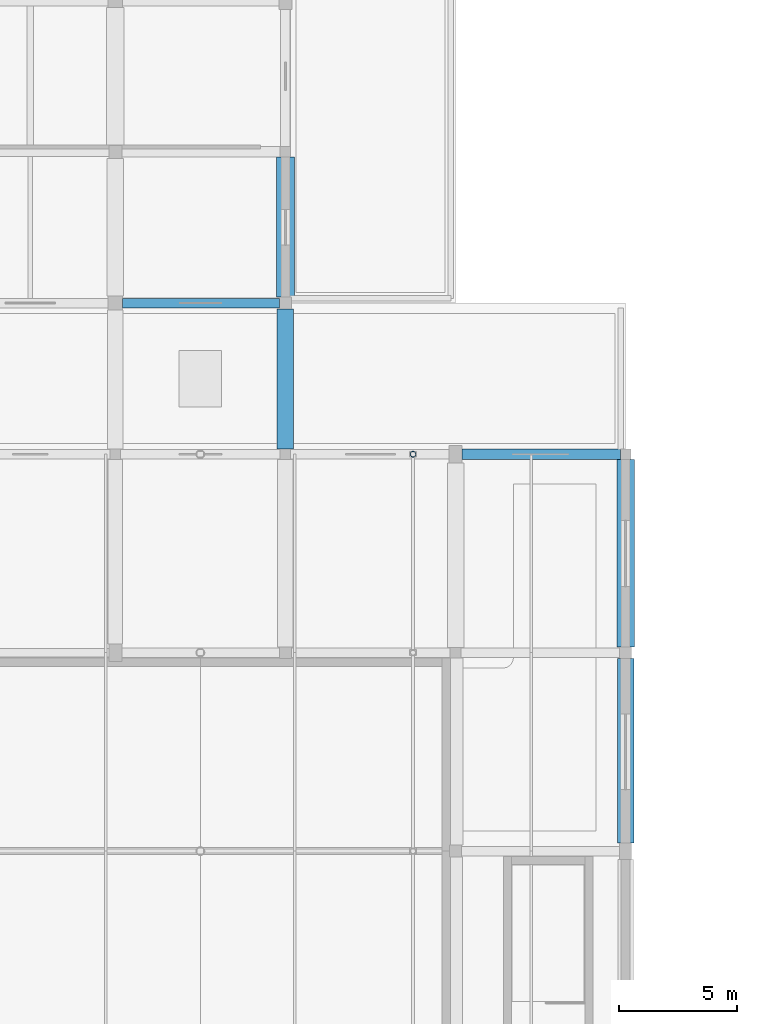
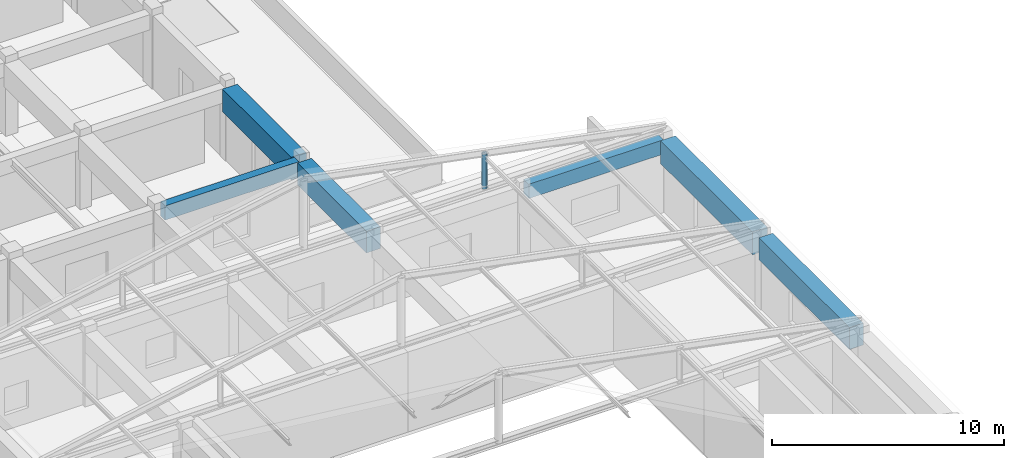
# One storey, part 46 of 74: 6 beams, 1 member.
"""IFC4 building model written with IfcOpenShell, lengths in metres."""

from ifc_helpers import new_model, si_unit, direction, frame, origin, origin_2d, place, context, subcontext, project, spatial, rectangle, hollow_circle, extrude, material, material_profile, profile_set, type_object, element, save


model = new_model("IFC4")

# Units and contexts
model_context = context("Model", 3, precision=1e-05, world=origin(), true_north=direction((0.0, 1.0)))
body_context = subcontext(model_context, "Body", "Model", "MODEL_VIEW")
ifc_project = project(units=[si_unit("LENGTHUNIT", "METRE"), si_unit("AREAUNIT", "SQUARE_METRE"), si_unit("VOLUMEUNIT", "CUBIC_METRE"), si_unit("PLANEANGLEUNIT", "RADIAN"), si_unit("MASSUNIT", "GRAM", prefix="KILO")], contexts=[model_context])

# Site, building, storey
site_placement = place(None, origin())
site = spatial("IfcSite", under=ifc_project, at=site_placement, CompositionType="ELEMENT")
building_placement = place(site_placement, origin())
building = spatial("IfcBuilding", under=site, at=building_placement, Name="Korsvaeld Concert Hall", CompositionType="ELEMENT")
storey_placement = place(building_placement, frame((0.0, 0.0, 9.0)))
storey = spatial("IfcBuildingStorey", under=building, at=storey_placement, Name="L02", CompositionType="ELEMENT", Elevation=9.0)

# Beams
ifc_material_1 = material(Name="Concrete C35/45", Category="concrete")
ifc_material_profile_1 = material_profile(ifc_material_1, rectangle(XDim=0.39990234375, YDim=0.75, at=origin_2d()), Name="RC 400x750")
ifc_profile_set_1 = profile_set([ifc_material_profile_1], Name="Concrete C35/45")
beam_type_1 = type_object("IfcBeamType", Name="BM-RC-400x750", PredefinedType="T_BEAM", material=ifc_profile_set_1)
beam_1_placement = place(storey_placement, frame((132.300048828125, 83.199951171875, 3.465087890625), z_axis=(1.0, 0.0, 0.0), x_axis=(0.0, 1.0, 0.0)))
element("IfcBeam", 1, at=beam_1_placement, inside=storey, type_object=beam_type_1, Name="Primary girder 18-19/M L02", PredefinedType="T_BEAM", context=body_context, shape_type="SweptSolid", body=[
    extrude(rectangle(XDim=0.39990234375, YDim=0.75, at=origin_2d()), origin(), (0.0, 0.0, 1.0), 6.64990234375),
])
ifc_material_profile_2 = material_profile(ifc_material_1, rectangle(XDim=0.449951171875, YDim=0.75, at=origin_2d()), Name="RC 450x750")
ifc_profile_set_2 = profile_set([ifc_material_profile_2], Name="Concrete C35/45")
beam_type_2 = type_object("IfcBeamType", Name="BM-RC-450x750", PredefinedType="T_BEAM", material=ifc_profile_set_2)
beam_2_placement = place(storey_placement, frame((146.675048828125, 76.800048828125, 3.465087890625), z_axis=(1.0, 0.0, 0.0), x_axis=(0.0, 1.0, 0.0)))
element("IfcBeam", 2, at=beam_2_placement, inside=storey, type_object=beam_type_2, Name="Primary girder 20-21/L L02", PredefinedType="T_BEAM", context=body_context, shape_type="SweptSolid", body=[
    extrude(rectangle(XDim=0.449951171875, YDim=0.75, at=origin_2d()), origin(), (0.0, 0.0, 1.0), 6.699951171875),
])
ifc_material_2 = material(Name="Concrete C40/50", Category="concrete")
ifc_material_profile_3 = material_profile(ifc_material_2, rectangle(XDim=0.699951171875, YDim=1.14990234375, at=origin_2d()), Name="RC 700x1150")
ifc_profile_set_3 = profile_set([ifc_material_profile_3], Name="Concrete C40/50")
beam_type_3 = type_object("IfcBeamType", Name="BM-RC-700x1150", PredefinedType="T_BEAM", material=ifc_profile_set_3)
beam_3_placement = place(storey_placement, frame((139.199951171875, 77.02490234375, 3.264892578125), z_axis=(0.0, 1.0, 0.0), x_axis=(-1.0, 0.0, 0.0)))
element("IfcBeam", 3, at=beam_3_placement, inside=storey, type_object=beam_type_3, Name="Primary girder 19/L-M L02", PredefinedType="T_BEAM", context=body_context, shape_type="SweptSolid", body=[
    extrude(rectangle(XDim=0.699951171875, YDim=1.14990234375, at=origin_2d()), origin(), (0.0, 0.0, 1.0), 5.925048828125),
])
beam_4_placement = place(storey_placement, frame((153.60009765625, 60.35009765625, 3.264892578125), z_axis=(0.0, 1.0, 0.0), x_axis=(-1.0, 0.0, 0.0)))
element("IfcBeam", 4, at=beam_4_placement, inside=storey, type_object=beam_type_3, Name="Primary girder 21/J-K L02", PredefinedType="T_BEAM", context=body_context, shape_type="SweptSolid", body=[
    extrude(rectangle(XDim=0.699951171875, YDim=1.14990234375, at=origin_2d()), origin(), (0.0, 0.0, 1.0), 7.7998046875),
])
ifc_material_profile_4 = material_profile(ifc_material_2, rectangle(XDim=0.75, YDim=1.199951171875, at=origin_2d()), Name="RC 750x1200")
ifc_profile_set_4 = profile_set([ifc_material_profile_4], Name="Concrete C40/50")
beam_type_4 = type_object("IfcBeamType", Name="BM-RC-750x1200", PredefinedType="T_BEAM", material=ifc_profile_set_4)
beam_5_placement = place(storey_placement, frame((139.199951171875, 83.449951171875, 3.239990234375), z_axis=(0.0, 1.0, 0.0), x_axis=(-1.0, 0.0, 0.0)))
element("IfcBeam", 5, at=beam_5_placement, inside=storey, type_object=beam_type_4, Name="Primary girder 19/M-N L02", PredefinedType="T_BEAM", context=body_context, shape_type="SweptSolid", body=[
    extrude(rectangle(XDim=0.75, YDim=1.199951171875, at=origin_2d()), origin(), (0.0, 0.0, 1.0), 5.925048828125),
])
beam_6_placement = place(storey_placement, frame((153.60009765625, 68.64990234375, 3.239990234375), z_axis=(0.0, 1.0, 0.0), x_axis=(-1.0, 0.0, 0.0)))
element("IfcBeam", 6, at=beam_6_placement, inside=storey, type_object=beam_type_4, Name="Primary girder 21/K-L L02", PredefinedType="T_BEAM", context=body_context, shape_type="SweptSolid", body=[
    extrude(rectangle(XDim=0.75, YDim=1.199951171875, at=origin_2d()), origin(), (0.0, 0.0, 1.0), 7.925048828125),
])

# Member
ifc_material_3 = material(Name="Steel S355J2", Category="steel")
ifc_material_profile_5 = material_profile(ifc_material_3, hollow_circle(Radius=0.122314453125, WallThickness=0.012451171875, at=origin_2d()), Name="CHS 244.5x12.5")
ifc_profile_set_5 = profile_set([ifc_material_profile_5], Name="Steel S355J2")
member_type = type_object("IfcMemberType", Name="MEM-STR-CHS244", PredefinedType="STRUT", material=ifc_profile_set_5)
member_placement = place(storey_placement, frame((144.60009765625, 76.800048828125, 4.25), z_axis=(0.0, 0.0, 1.0), x_axis=(1.0, 0.0, 0.0)))
element("IfcMember", 7, at=member_placement, inside=storey, type_object=member_type, Name="Chamber Hall truss web 5.144", PredefinedType="STRUT", context=body_context, shape_type="SweptSolid", body=[
    extrude(hollow_circle(Radius=0.122314453125, WallThickness=0.012451171875, at=origin_2d()), origin(), (0.0, 0.0, 1.0), 1.85009765625),
])

save(model, "model.ifc")
